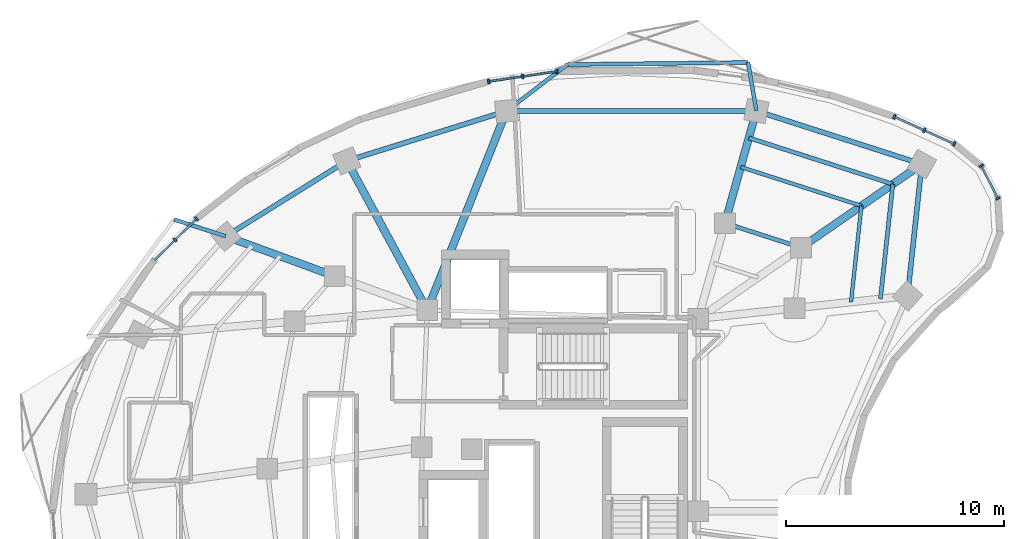
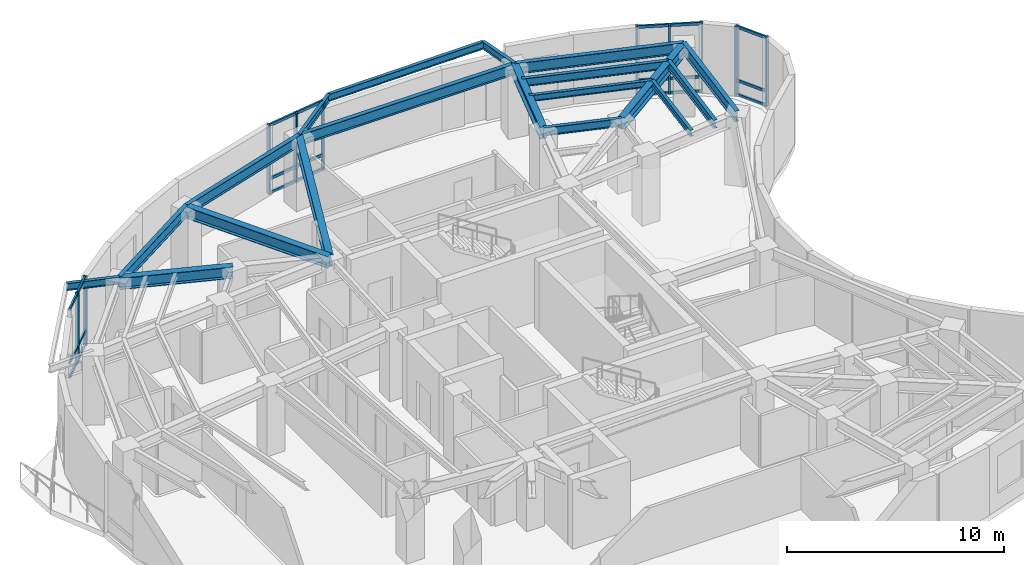
# One storey, part 5 of 12: 31 members, 19 beams, 4 elements without a shape of their own.
"""IFC4 building model written with IfcOpenShell, lengths in metres."""

from ifc_helpers import new_model, si_unit, direction, frame, origin, origin_2d, place, context, subcontext, project, spatial, rectangle, i_section, extrude, material, layer, layer_set, material_profile, profile_set, type_object, element, aggregate, save


model = new_model("IFC4")

# Units and contexts
model_context = context("Model", 3, precision=1e-05, world=origin(), true_north=direction((0.0, 1.0)))
body_context = subcontext(model_context, "Body", "Model", "MODEL_VIEW")
ifc_project = project(units=[si_unit("LENGTHUNIT", "METRE"), si_unit("AREAUNIT", "SQUARE_METRE"), si_unit("VOLUMEUNIT", "CUBIC_METRE"), si_unit("PLANEANGLEUNIT", "RADIAN"), si_unit("MASSUNIT", "GRAM", prefix="KILO")], contexts=[model_context])

# Site, building, storey
site_placement = place(None, origin())
site = spatial("IfcSite", under=ifc_project, at=site_placement, CompositionType="ELEMENT")
building_placement = place(site_placement, origin())
building = spatial("IfcBuilding", under=site, at=building_placement, Name="Korentha Bioscience Tower", CompositionType="ELEMENT")
storey_placement = place(building_placement, frame((0.0, 0.0, 179.39990234375)))
storey = spatial("IfcBuildingStorey", under=building, at=storey_placement, Name="L41", CompositionType="ELEMENT", Elevation=179.39990234375)

# Beam
ifc_material_1 = material(Name="Steel S355", Category="steel")
ifc_material_profile_1 = material_profile(ifc_material_1, i_section(OverallWidth=0.18994140625, OverallDepth=0.45703125, WebThickness=0.009033203125, FlangeThickness=0.014404296875, at=origin_2d()), Name="Steel S355")
ifc_profile_set_1 = profile_set([ifc_material_profile_1], Name="Steel S355 (MB-460)")
beam_type_1 = type_object("IfcBeamType", Name="Mid-Ring Tie Girder W460x74", PredefinedType="BEAM", material=ifc_profile_set_1)
beam_1_placement = place(storey_placement, frame((42.274658203125, 39.1171875, 3.671630859375), z_axis=(-0.952000195343, 0.306097415976, 0.0), x_axis=(-0.306097415976, -0.952000195343, 0.0)))
element("IfcBeam", 1, at=beam_1_placement, inside=storey, type_object=beam_type_1, Name="L41 Mid-Ring Tie Girder 01", PredefinedType="BEAM", context=body_context, shape_type="SweptSolid", body=[
    extrude(i_section(OverallWidth=0.18994140625, OverallDepth=0.45703125, WebThickness=0.009033203125, FlangeThickness=0.014404296875, at=origin_2d()), origin(), (0.0, 0.0, 1.0), 3.672119140625),
])

# Curtain wall, members
ifc_material_2 = material(Name="Thermally Broken Aluminium Frame", Category="aluminium")
ifc_layer = layer(ifc_material_2, 0.219970703125, Name="Thermally Broken Aluminium Frame")
ifc_layer_set = layer_set([ifc_layer], Name="Thermally Broken Aluminium Frame (CW-T1)")
curtain_wall_type = type_object("IfcCurtainWallType", Name="Standard Bioscience Lab Unitised Curtain Wall CW-T1", PredefinedType="USERDEFINED", material=ifc_layer_set)
curtain_wall_1_placement = place(storey_placement, origin())
curtain_wall_1 = element("IfcCurtainWall", 2, at=curtain_wall_1_placement, inside=storey, type_object=curtain_wall_type, Name="L41 Curtain Wall 01", ObjectType="UNITISED", PredefinedType="USERDEFINED")
ifc_material_3 = material(Name="Anodised Aluminium 6063-T6", Category="aluminium")
ifc_material_profile_2 = material_profile(ifc_material_3, rectangle(XDim=0.090087890625, YDim=0.199951171875, at=origin_2d()), Name="Anodised Aluminium 6063-T6")
ifc_profile_set_2 = profile_set([ifc_material_profile_2], Name="Anodised Aluminium 6063-T6 (CW-MUL)")
member_type_1 = type_object("IfcMemberType", Name="Mullion RECT 90x200", PredefinedType="MULLION", material=ifc_profile_set_2)
member_1_placement = place(storey_placement, frame((49.314453125, 43.878173828125, 0.0), z_axis=(0.0, 0.0, 1.0), x_axis=(-0.910644398392, 0.413190972406, 0.0)))
member_1 = element("IfcMember", 3, at=member_1_placement, type_object=member_type_1, Name="CW-L41-01 Mullion 1", PredefinedType="MULLION", context=body_context, shape_type="SweptSolid", body=[
    extrude(rectangle(XDim=0.090087890625, YDim=0.199951171875, at=origin_2d()), origin(), (0.0, 0.0, 1.0), 3.900146484375),
])
member_2_placement = place(storey_placement, frame((47.93701171875, 44.503173828125, 0.0), z_axis=(0.0, 0.0, 1.0), x_axis=(-0.910644398392, 0.413190972406, 0.0)))
member_2 = element("IfcMember", 4, at=member_2_placement, type_object=member_type_1, Name="CW-L41-01 Mullion 2", PredefinedType="MULLION", context=body_context, shape_type="SweptSolid", body=[
    extrude(rectangle(XDim=0.090087890625, YDim=0.199951171875, at=origin_2d()), origin(), (0.0, 0.0, 1.0), 3.900146484375),
])
member_3_placement = place(storey_placement, frame((46.5595703125, 45.128173828125, 0.0), z_axis=(0.0, 0.0, 1.0), x_axis=(-0.910644398392, 0.413190972406, 0.0)))
member_3 = element("IfcMember", 5, at=member_3_placement, type_object=member_type_1, Name="CW-L41-01 Mullion 3", PredefinedType="MULLION", context=body_context, shape_type="SweptSolid", body=[
    extrude(rectangle(XDim=0.090087890625, YDim=0.199951171875, at=origin_2d()), origin(), (0.0, 0.0, 1.0), 3.900146484375),
])

curtain_wall_2_placement = place(storey_placement, origin())
curtain_wall_2 = element("IfcCurtainWall", 6, at=curtain_wall_2_placement, inside=storey, type_object=curtain_wall_type, Name="L41 Curtain Wall 07", ObjectType="UNITISED", PredefinedType="USERDEFINED")
member_4_placement = place(storey_placement, frame((31.056640625, 47.205078125, 0.0), z_axis=(0.0, 0.0, 1.0), x_axis=(-0.989461919888, -0.144793332342, 0.0)))
member_4 = element("IfcMember", 7, at=member_4_placement, type_object=member_type_1, Name="CW-L41-07 Mullion 1", PredefinedType="MULLION", context=body_context, shape_type="SweptSolid", body=[
    extrude(rectangle(XDim=0.090087890625, YDim=0.199951171875, at=origin_2d()), origin(), (0.0, 0.0, 1.0), 3.900146484375),
])
member_5_placement = place(storey_placement, frame((29.485107421875, 46.97509765625, 0.0), z_axis=(0.0, 0.0, 1.0), x_axis=(-0.989461919888, -0.144793332342, 0.0)))
member_5 = element("IfcMember", 8, at=member_5_placement, type_object=member_type_1, Name="CW-L41-07 Mullion 2", PredefinedType="MULLION", context=body_context, shape_type="SweptSolid", body=[
    extrude(rectangle(XDim=0.090087890625, YDim=0.199951171875, at=origin_2d()), origin(), (0.0, 0.0, 1.0), 3.900146484375),
])
member_6_placement = place(storey_placement, frame((27.913330078125, 46.7451171875, 0.0), z_axis=(0.0, 0.0, 1.0), x_axis=(-0.989461919888, -0.144793332342, 0.0)))
member_6 = element("IfcMember", 9, at=member_6_placement, type_object=member_type_1, Name="CW-L41-07 Mullion 3", PredefinedType="MULLION", context=body_context, shape_type="SweptSolid", body=[
    extrude(rectangle(XDim=0.090087890625, YDim=0.199951171875, at=origin_2d()), origin(), (0.0, 0.0, 1.0), 3.900146484375),
])

curtain_wall_3_placement = place(storey_placement, origin())
curtain_wall_3 = element("IfcCurtainWall", 10, at=curtain_wall_3_placement, inside=storey, type_object=curtain_wall_type, Name="L41 Curtain Wall 13", ObjectType="UNITISED", PredefinedType="USERDEFINED")
member_7_placement = place(storey_placement, frame((14.49951171875, 40.44287109375, 0.0), z_axis=(0.0, 0.0, 1.0), x_axis=(-0.711460557971, -0.702726030862, 0.0)))
member_7 = element("IfcMember", 11, at=member_7_placement, type_object=member_type_1, Name="CW-L41-13 Mullion 1", PredefinedType="MULLION", context=body_context, shape_type="SweptSolid", body=[
    extrude(rectangle(XDim=0.090087890625, YDim=0.199951171875, at=origin_2d()), origin(), (0.0, 0.0, 1.0), 3.900146484375),
])
member_8_placement = place(storey_placement, frame((13.517333984375, 39.472900390625, 0.0), z_axis=(0.0, 0.0, 1.0), x_axis=(-0.711460557971, -0.702726030862, 0.0)))
member_8 = element("IfcMember", 12, at=member_8_placement, type_object=member_type_1, Name="CW-L41-13 Mullion 2", PredefinedType="MULLION", context=body_context, shape_type="SweptSolid", body=[
    extrude(rectangle(XDim=0.090087890625, YDim=0.199951171875, at=origin_2d()), origin(), (0.0, 0.0, 1.0), 3.900146484375),
])

curtain_wall_4_placement = place(storey_placement, origin())
curtain_wall_4 = element("IfcCurtainWall", 13, at=curtain_wall_4_placement, inside=storey, type_object=curtain_wall_type, Name="L41 Curtain Wall 61", ObjectType="UNITISED", PredefinedType="USERDEFINED")
member_9_placement = place(storey_placement, frame((51.31884765625, 41.375732421875, 0.0), z_axis=(0.0, 0.0, 1.0), x_axis=(-0.45428845847, 0.890854643868, 0.0)))
member_9 = element("IfcMember", 14, at=member_9_placement, type_object=member_type_1, Name="CW-L41-61 Mullion 1", PredefinedType="MULLION", context=body_context, shape_type="SweptSolid", body=[
    extrude(rectangle(XDim=0.090087890625, YDim=0.199951171875, at=origin_2d()), origin(), (0.0, 0.0, 1.0), 3.900146484375),
])
member_10_placement = place(storey_placement, frame((50.5546875, 42.873779296875, 0.0), z_axis=(0.0, 0.0, 1.0), x_axis=(-0.45428845847, 0.890854643868, 0.0)))
member_10 = element("IfcMember", 15, at=member_10_placement, type_object=member_type_1, Name="CW-L41-61 Mullion 2", PredefinedType="MULLION", context=body_context, shape_type="SweptSolid", body=[
    extrude(rectangle(XDim=0.090087890625, YDim=0.199951171875, at=origin_2d()), origin(), (0.0, 0.0, 1.0), 3.900146484375),
])

# Beams
ifc_material_profile_3 = material_profile(ifc_material_1, i_section(OverallWidth=0.22802734375, OverallDepth=0.60791015625, WebThickness=0.01123046875, FlangeThickness=0.017333984375, at=origin_2d()), Name="Steel S355")
ifc_profile_set_3 = profile_set([ifc_material_profile_3], Name="Steel S355 (SB-610)")
beam_type_2 = type_object("IfcBeamType", Name="Perimeter Ring Spandrel Girder W610x113", PredefinedType="SPANDREL", material=ifc_profile_set_3)
beam_2_placement = place(storey_placement, frame((47.821044921875, 42.95263671875, 3.59619140625), z_axis=(-0.952008512555, 0.306071547228, 0.0), x_axis=(-0.306071547228, -0.952008512555, 0.0)))
element("IfcBeam", 16, at=beam_2_placement, inside=storey, type_object=beam_type_2, Name="L41 Perimeter Spandrel Girder 01", PredefinedType="SPANDREL", context=body_context, shape_type="SweptSolid", body=[
    extrude(i_section(OverallWidth=0.22802734375, OverallDepth=0.60791015625, WebThickness=0.01123046875, FlangeThickness=0.017333984375, at=origin_2d()), origin(), (0.0, 0.0, 1.0), 7.98291015625),
])
beam_3_placement = place(storey_placement, frame((40.22119140625, 45.39599609375, 3.59619140625), z_axis=(-0.99999988041, -0.000489059883, 0.0), x_axis=(0.000489059883, -0.99999988041, 0.0)))
element("IfcBeam", 17, at=beam_3_placement, inside=storey, type_object=beam_type_2, Name="L41 Perimeter Spandrel Girder 02", PredefinedType="SPANDREL", context=body_context, shape_type="SweptSolid", body=[
    extrude(i_section(OverallWidth=0.22802734375, OverallDepth=0.60791015625, WebThickness=0.01123046875, FlangeThickness=0.017333984375, at=origin_2d()), origin(), (0.0, 0.0, 1.0), 11.481689453125),
])
beam_4_placement = place(storey_placement, frame((28.739501953125, 45.390380859375, 3.59619140625), z_axis=(-0.954638172607, -0.29776829818, 0.0), x_axis=(0.29776829818, -0.954638172607, 0.0)))
element("IfcBeam", 18, at=beam_4_placement, inside=storey, type_object=beam_type_2, Name="L41 Perimeter Spandrel Girder 03", PredefinedType="SPANDREL", context=body_context, shape_type="SweptSolid", body=[
    extrude(i_section(OverallWidth=0.22802734375, OverallDepth=0.60791015625, WebThickness=0.01123046875, FlangeThickness=0.017333984375, at=origin_2d()), origin(), (0.0, 0.0, 1.0), 7.682373046875),
])
beam_5_placement = place(storey_placement, frame((21.405517578125, 43.102783203125, 3.59619140625), z_axis=(-0.848675740059, -0.528913497876, 0.0), x_axis=(0.528913497876, -0.848675740059, 0.0)))
element("IfcBeam", 19, at=beam_5_placement, inside=storey, type_object=beam_type_2, Name="L41 Perimeter Spandrel Girder 04", PredefinedType="SPANDREL", context=body_context, shape_type="SweptSolid", body=[
    extrude(i_section(OverallWidth=0.22802734375, OverallDepth=0.60791015625, WebThickness=0.01123046875, FlangeThickness=0.017333984375, at=origin_2d()), origin(), (0.0, 0.0, 1.0), 6.55322265625),
])
beam_6_placement = place(storey_placement, frame((47.16748046875, 36.89794921875, 3.59619140625), z_axis=(0.10732012232, 0.994224517574, 0.0), x_axis=(-0.994224517574, 0.10732012232, 0.0)))
element("IfcBeam", 20, at=beam_6_placement, inside=storey, type_object=beam_type_2, Name="L41 Perimeter Spandrel Girder 16", PredefinedType="SPANDREL", context=body_context, shape_type="SweptSolid", body=[
    extrude(i_section(OverallWidth=0.22802734375, OverallDepth=0.60791015625, WebThickness=0.01123046875, FlangeThickness=0.017333984375, at=origin_2d()), origin(), (0.0, 0.0, 1.0), 6.08984375),
])
ifc_material_profile_4 = material_profile(ifc_material_1, i_section(OverallWidth=0.18994140625, OverallDepth=0.45703125, WebThickness=0.009033203125, FlangeThickness=0.014404296875, at=origin_2d()), Name="Steel S355")
ifc_profile_set_4 = profile_set([ifc_material_profile_4], Name="Steel S355 (RB-460)")
beam_type_3 = type_object("IfcBeamType", Name="Radial Laboratory Beam W460x74", PredefinedType="BEAM", material=ifc_profile_set_4)
beam_7_placement = place(storey_placement, frame((46.489990234375, 42.031982421875, 3.671630859375), z_axis=(-0.952009183817, 0.306069459318, 0.0), x_axis=(-0.306069459318, -0.952009183817, 0.0)))
element("IfcBeam", 21, at=beam_7_placement, inside=storey, type_object=beam_type_3, Name="L41 Secondary Floor Beam JSTO-01", PredefinedType="BEAM", context=body_context, shape_type="SweptSolid", body=[
    extrude(i_section(OverallWidth=0.18994140625, OverallDepth=0.45703125, WebThickness=0.009033203125, FlangeThickness=0.014404296875, at=origin_2d()), origin(), (0.0, 0.0, 1.0), 6.948486328125),
])
beam_8_placement = place(storey_placement, frame((45.921142578125, 36.76220703125, 3.671630859375), z_axis=(0.107321875607, 0.994224328316, 0.0), x_axis=(-0.994224328316, 0.107321875607, 0.0)))
element("IfcBeam", 22, at=beam_8_placement, inside=storey, type_object=beam_type_3, Name="L41 Secondary Floor Beam JSTO-16", PredefinedType="BEAM", context=body_context, shape_type="SweptSolid", body=[
    extrude(i_section(OverallWidth=0.18994140625, OverallDepth=0.45703125, WebThickness=0.009033203125, FlangeThickness=0.014404296875, at=origin_2d()), origin(), (0.0, 0.0, 1.0), 5.30029296875),
])
ifc_material_profile_5 = material_profile(ifc_material_1, i_section(OverallWidth=0.35009765625, OverallDepth=0.64990234375, WebThickness=0.01611328125, FlangeThickness=0.02490234375, at=origin_2d()), Name="Steel S355")
ifc_profile_set_5 = profile_set([ifc_material_profile_5], Name="Steel S355 (RB-650)")
beam_type_4 = type_object("IfcBeamType", Name="Radial Laboratory Girder CVS 650x208", PredefinedType="BEAM", material=ifc_profile_set_5)
beam_9_placement = place(storey_placement, frame((42.274658203125, 39.1171875, 3.5751953125), z_axis=(0.822494455845, 0.568773127094, 0.0), x_axis=(-0.568773127094, 0.822494455845, 0.0)))
element("IfcBeam", 23, at=beam_9_placement, inside=storey, type_object=beam_type_4, Name="L41 Outer Radial Girder 01", PredefinedType="BEAM", context=body_context, shape_type="SweptSolid", body=[
    extrude(i_section(OverallWidth=0.35009765625, OverallDepth=0.64990234375, WebThickness=0.01611328125, FlangeThickness=0.02490234375, at=origin_2d()), origin(), (0.0, 0.0, 1.0), 6.743408203125),
])
beam_10_placement = place(storey_placement, frame((38.77880859375, 40.2412109375, 3.5751953125), z_axis=(0.269464128344, 0.963010427532, 0.0), x_axis=(-0.963010427532, 0.269464128344, 0.0)))
element("IfcBeam", 24, at=beam_10_placement, inside=storey, type_object=beam_type_4, Name="L41 Outer Radial Girder 02", PredefinedType="BEAM", context=body_context, shape_type="SweptSolid", body=[
    extrude(i_section(OverallWidth=0.35009765625, OverallDepth=0.64990234375, WebThickness=0.01611328125, FlangeThickness=0.02490234375, at=origin_2d()), origin(), (0.0, 0.0, 1.0), 5.352783203125),
])
beam_11_placement = place(storey_placement, frame((25.10009765625, 36.25, 3.5751953125), z_axis=(0.369922682955, 0.929062542909, 0.0), x_axis=(-0.929062542909, 0.369922682955, 0.0)))
element("IfcBeam", 25, at=beam_11_placement, inside=storey, type_object=beam_type_4, Name="L41 Radial Girder 03", PredefinedType="BEAM", context=body_context, shape_type="SweptSolid", body=[
    extrude(i_section(OverallWidth=0.35009765625, OverallDepth=0.64990234375, WebThickness=0.01611328125, FlangeThickness=0.02490234375, at=origin_2d()), origin(), (0.0, 0.0, 1.0), 9.83837890625),
])
beam_12_placement = place(storey_placement, frame((25.10009765625, 36.25, 3.5751953125), z_axis=(-0.474559790141, 0.880223270302, 0.0), x_axis=(-0.880223270302, -0.474559790141, 0.0)))
element("IfcBeam", 26, at=beam_12_placement, inside=storey, type_object=beam_type_4, Name="L41 Radial Girder 04", PredefinedType="BEAM", context=body_context, shape_type="SweptSolid", body=[
    extrude(i_section(OverallWidth=0.35009765625, OverallDepth=0.64990234375, WebThickness=0.01611328125, FlangeThickness=0.02490234375, at=origin_2d()), origin(), (0.0, 0.0, 1.0), 7.785400390625),
])
beam_13_placement = place(storey_placement, frame((20.84228515625, 37.807861328125, 3.5751953125), z_axis=(-0.939109855566, 0.343617053097, 0.0), x_axis=(-0.343617053097, -0.939109855566, 0.0)))
element("IfcBeam", 27, at=beam_13_placement, inside=storey, type_object=beam_type_4, Name="L41 Outer Radial Girder 05", PredefinedType="BEAM", context=body_context, shape_type="SweptSolid", body=[
    extrude(i_section(OverallWidth=0.35009765625, OverallDepth=0.64990234375, WebThickness=0.01611328125, FlangeThickness=0.02490234375, at=origin_2d()), origin(), (0.0, 0.0, 1.0), 5.322265625),
])
ifc_material_profile_6 = material_profile(ifc_material_1, i_section(OverallWidth=0.1708984375, OverallDepth=0.35498046875, WebThickness=0.007080078125, FlangeThickness=0.01171875, at=origin_2d()), Name="Steel S355")
ifc_profile_set_6 = profile_set([ifc_material_profile_6], Name="Steel S355 (JB-360)")
beam_type_5 = type_object("IfcBeamType", Name="Secondary Laboratory Joist W360x51", PredefinedType="JOIST", material=ifc_profile_set_6)
beam_14_placement = place(storey_placement, frame((45.0478515625, 41.034912109375, 3.72265625), z_axis=(-0.952005892166, 0.306079697596, 0.0), x_axis=(-0.306079697596, -0.952005892166, 0.0)))
element("IfcBeam", 28, at=beam_14_placement, inside=storey, type_object=beam_type_5, Name="L41 Secondary Floor Beam JST-01", PredefinedType="JOIST", context=body_context, shape_type="SweptSolid", body=[
    extrude(i_section(OverallWidth=0.1708984375, OverallDepth=0.35498046875, WebThickness=0.007080078125, FlangeThickness=0.01171875, at=origin_2d()), origin(), (0.0, 0.0, 1.0), 5.82763671875),
])
beam_15_placement = place(storey_placement, frame((44.57080078125, 36.614990234375, 3.72265625), z_axis=(0.107308722475, 0.994225748048, 0.0), x_axis=(-0.994225748048, 0.107308722475, 0.0)))
element("IfcBeam", 29, at=beam_15_placement, inside=storey, type_object=beam_type_5, Name="L41 Secondary Floor Beam JST-16", PredefinedType="JOIST", context=body_context, shape_type="SweptSolid", body=[
    extrude(i_section(OverallWidth=0.1708984375, OverallDepth=0.35498046875, WebThickness=0.007080078125, FlangeThickness=0.01171875, at=origin_2d()), origin(), (0.0, 0.0, 1.0), 4.445556640625),
])
ifc_material_profile_7 = material_profile(ifc_material_1, i_section(OverallWidth=0.177978515625, OverallDepth=0.406982421875, WebThickness=0.0078125, FlangeThickness=0.0126953125, at=origin_2d()), Name="Steel S355")
ifc_profile_set_7 = profile_set([ifc_material_profile_7], Name="Steel S355 (CB-410)")
beam_type_6 = type_object("IfcBeamType", Name="Sun-Ledge Cantilever Beam W410x60", PredefinedType="BEAM", material=ifc_profile_set_7)
beam_16_placement = place(storey_placement, frame((40.22119140625, 45.39599609375, 3.698486328125), z_axis=(-0.169095852477, 0.985599610732, 0.0), x_axis=(-0.985599610732, -0.169095852477, 0.0)))
element("IfcBeam", 30, at=beam_16_placement, inside=storey, type_object=beam_type_6, Name="L41 Balcony Cantilever Bracket A-L42-01", PredefinedType="BEAM", context=body_context, shape_type="SweptSolid", body=[
    extrude(i_section(OverallWidth=0.177978515625, OverallDepth=0.406982421875, WebThickness=0.0078125, FlangeThickness=0.0126953125, at=origin_2d()), origin(), (0.0, 0.0, 1.0), 2.258056640625),
])
beam_17_placement = place(storey_placement, frame((28.739501953125, 45.390380859375, 3.698486328125), z_axis=(0.794810389594, 0.606857845458, 0.0), x_axis=(-0.606857845458, 0.794810389594, 0.0)))
element("IfcBeam", 31, at=beam_17_placement, inside=storey, type_object=beam_type_6, Name="L41 Balcony Cantilever Bracket B-L42-01", PredefinedType="BEAM", context=body_context, shape_type="SweptSolid", body=[
    extrude(i_section(OverallWidth=0.177978515625, OverallDepth=0.406982421875, WebThickness=0.0078125, FlangeThickness=0.0126953125, at=origin_2d()), origin(), (0.0, 0.0, 1.0), 3.520263671875),
])
beam_18_placement = place(storey_placement, frame((39.83935546875, 47.62158203125, 3.698486328125), z_axis=(-0.999934575407, -0.011438745768, 0.0), x_axis=(0.011438745768, -0.999934575407, 0.0)))
element("IfcBeam", 32, at=beam_18_placement, inside=storey, type_object=beam_type_6, Name="L41 Balcony Edge Trimmer Beam L42-01", PredefinedType="BEAM", context=body_context, shape_type="SweptSolid", body=[
    extrude(i_section(OverallWidth=0.177978515625, OverallDepth=0.406982421875, WebThickness=0.0078125, FlangeThickness=0.0126953125, at=origin_2d()), origin(), (0.0, 0.0, 1.0), 8.302490234375),
])
beam_19_placement = place(storey_placement, frame((15.843994140625, 39.63671875, 3.698486328125), z_axis=(-0.951344006002, 0.308130787563, 0.0), x_axis=(-0.308130787563, -0.951344006002, 0.0)))
element("IfcBeam", 33, at=beam_19_placement, inside=storey, type_object=beam_type_6, Name="L41 Balcony Cantilever Bracket A-L42-02", PredefinedType="BEAM", context=body_context, shape_type="SweptSolid", body=[
    extrude(i_section(OverallWidth=0.177978515625, OverallDepth=0.406982421875, WebThickness=0.0078125, FlangeThickness=0.0126953125, at=origin_2d()), origin(), (0.0, 0.0, 1.0), 2.490966796875),
])

# Member
ifc_material_profile_8 = material_profile(ifc_material_3, rectangle(XDim=0.090087890625, YDim=0.159912109375, at=origin_2d()), Name="Anodised Aluminium 6063-T6")
ifc_profile_set_8 = profile_set([ifc_material_profile_8], Name="Anodised Aluminium 6063-T6 (CW-TRN)")
member_type_2 = type_object("IfcMemberType", Name="Transom RECT 90x160", PredefinedType="USERDEFINED", material=ifc_profile_set_8)
member_11_placement = place(storey_placement, frame((49.2734375, 43.896728515625, 0.045166015625), z_axis=(-0.910613165474, 0.41325980069, 0.0), x_axis=(-0.41325980069, -0.910613165474, 0.0)))
member_11 = element("IfcMember", 34, at=member_11_placement, type_object=member_type_2, Name="CW-L41-01 Bay 1 Transom 1", ObjectType="TRANSOM", PredefinedType="USERDEFINED", context=body_context, shape_type="SweptSolid", body=[
    extrude(rectangle(XDim=0.090087890625, YDim=0.159912109375, at=origin_2d()), origin(), (0.0, 0.0, 1.0), 1.422607421875),
])

member_12_placement = place(storey_placement, frame((49.2734375, 43.896728515625, 0.85009765625), z_axis=(-0.910613165474, 0.41325980069, 0.0), x_axis=(-0.41325980069, -0.910613165474, 0.0)))
member_12 = element("IfcMember", 35, at=member_12_placement, type_object=member_type_2, Name="CW-L41-01 Bay 1 Transom 2", ObjectType="TRANSOM", PredefinedType="USERDEFINED", context=body_context, shape_type="SweptSolid", body=[
    extrude(rectangle(XDim=0.090087890625, YDim=0.159912109375, at=origin_2d()), origin(), (0.0, 0.0, 1.0), 1.422607421875),
])

member_13_placement = place(storey_placement, frame((49.2734375, 43.896728515625, 3.85498046875), z_axis=(-0.910613165474, 0.41325980069, 0.0), x_axis=(-0.41325980069, -0.910613165474, 0.0)))
member_13 = element("IfcMember", 36, at=member_13_placement, type_object=member_type_2, Name="CW-L41-01 Bay 1 Transom 3", ObjectType="TRANSOM", PredefinedType="USERDEFINED", context=body_context, shape_type="SweptSolid", body=[
    extrude(rectangle(XDim=0.090087890625, YDim=0.159912109375, at=origin_2d()), origin(), (0.0, 0.0, 1.0), 1.422607421875),
])

member_14_placement = place(storey_placement, frame((47.89599609375, 44.521728515625, 0.045166015625), z_axis=(-0.910613165474, 0.41325980069, 0.0), x_axis=(-0.41325980069, -0.910613165474, 0.0)))
member_14 = element("IfcMember", 37, at=member_14_placement, type_object=member_type_2, Name="CW-L41-01 Bay 2 Transom 1", ObjectType="TRANSOM", PredefinedType="USERDEFINED", context=body_context, shape_type="SweptSolid", body=[
    extrude(rectangle(XDim=0.090087890625, YDim=0.159912109375, at=origin_2d()), origin(), (0.0, 0.0, 1.0), 1.422607421875),
])

member_15_placement = place(storey_placement, frame((47.89599609375, 44.521728515625, 0.85009765625), z_axis=(-0.910613165474, 0.41325980069, 0.0), x_axis=(-0.41325980069, -0.910613165474, 0.0)))
member_15 = element("IfcMember", 38, at=member_15_placement, type_object=member_type_2, Name="CW-L41-01 Bay 2 Transom 2", ObjectType="TRANSOM", PredefinedType="USERDEFINED", context=body_context, shape_type="SweptSolid", body=[
    extrude(rectangle(XDim=0.090087890625, YDim=0.159912109375, at=origin_2d()), origin(), (0.0, 0.0, 1.0), 1.422607421875),
])

member_16_placement = place(storey_placement, frame((47.89599609375, 44.521728515625, 3.85498046875), z_axis=(-0.910613165474, 0.41325980069, 0.0), x_axis=(-0.41325980069, -0.910613165474, 0.0)))
member_16 = element("IfcMember", 39, at=member_16_placement, type_object=member_type_2, Name="CW-L41-01 Bay 2 Transom 3", ObjectType="TRANSOM", PredefinedType="USERDEFINED", context=body_context, shape_type="SweptSolid", body=[
    extrude(rectangle(XDim=0.090087890625, YDim=0.159912109375, at=origin_2d()), origin(), (0.0, 0.0, 1.0), 1.422607421875),
])

aggregate(curtain_wall_1, [member_1, member_2, member_3, member_11, member_12, member_13, member_14, member_15, member_16])

member_17_placement = place(storey_placement, frame((31.01220703125, 47.198486328125, 0.045166015625), z_axis=(-0.989478137929, -0.144682461136, 0.0), x_axis=(0.144682461136, -0.989478137929, 0.0)))
member_17 = element("IfcMember", 40, at=member_17_placement, type_object=member_type_2, Name="CW-L41-07 Bay 1 Transom 1", ObjectType="TRANSOM", PredefinedType="USERDEFINED", context=body_context, shape_type="SweptSolid", body=[
    extrude(rectangle(XDim=0.090087890625, YDim=0.159912109375, at=origin_2d()), origin(), (0.0, 0.0, 1.0), 1.49853515625),
])

member_18_placement = place(storey_placement, frame((31.01220703125, 47.198486328125, 0.85009765625), z_axis=(-0.989478137929, -0.144682461136, 0.0), x_axis=(0.144682461136, -0.989478137929, 0.0)))
member_18 = element("IfcMember", 41, at=member_18_placement, type_object=member_type_2, Name="CW-L41-07 Bay 1 Transom 2", ObjectType="TRANSOM", PredefinedType="USERDEFINED", context=body_context, shape_type="SweptSolid", body=[
    extrude(rectangle(XDim=0.090087890625, YDim=0.159912109375, at=origin_2d()), origin(), (0.0, 0.0, 1.0), 1.49853515625),
])

member_19_placement = place(storey_placement, frame((31.01220703125, 47.198486328125, 3.85498046875), z_axis=(-0.989478137929, -0.144682461136, 0.0), x_axis=(0.144682461136, -0.989478137929, 0.0)))
member_19 = element("IfcMember", 42, at=member_19_placement, type_object=member_type_2, Name="CW-L41-07 Bay 1 Transom 3", ObjectType="TRANSOM", PredefinedType="USERDEFINED", context=body_context, shape_type="SweptSolid", body=[
    extrude(rectangle(XDim=0.090087890625, YDim=0.159912109375, at=origin_2d()), origin(), (0.0, 0.0, 1.0), 1.49853515625),
])

member_20_placement = place(storey_placement, frame((29.4404296875, 46.968505859375, 0.045166015625), z_axis=(-0.989474726473, -0.144705790038, 0.0), x_axis=(0.144705790038, -0.989474726473, 0.0)))
member_20 = element("IfcMember", 43, at=member_20_placement, type_object=member_type_2, Name="CW-L41-07 Bay 2 Transom 1", ObjectType="TRANSOM", PredefinedType="USERDEFINED", context=body_context, shape_type="SweptSolid", body=[
    extrude(rectangle(XDim=0.090087890625, YDim=0.159912109375, at=origin_2d()), origin(), (0.0, 0.0, 1.0), 1.498291015625),
])

member_21_placement = place(storey_placement, frame((29.4404296875, 46.968505859375, 0.85009765625), z_axis=(-0.989474726473, -0.144705790038, 0.0), x_axis=(0.144705790038, -0.989474726473, 0.0)))
member_21 = element("IfcMember", 44, at=member_21_placement, type_object=member_type_2, Name="CW-L41-07 Bay 2 Transom 2", ObjectType="TRANSOM", PredefinedType="USERDEFINED", context=body_context, shape_type="SweptSolid", body=[
    extrude(rectangle(XDim=0.090087890625, YDim=0.159912109375, at=origin_2d()), origin(), (0.0, 0.0, 1.0), 1.498291015625),
])

member_22_placement = place(storey_placement, frame((29.4404296875, 46.968505859375, 3.85498046875), z_axis=(-0.989474726473, -0.144705790038, 0.0), x_axis=(0.144705790038, -0.989474726473, 0.0)))
member_22 = element("IfcMember", 45, at=member_22_placement, type_object=member_type_2, Name="CW-L41-07 Bay 2 Transom 3", ObjectType="TRANSOM", PredefinedType="USERDEFINED", context=body_context, shape_type="SweptSolid", body=[
    extrude(rectangle(XDim=0.090087890625, YDim=0.159912109375, at=origin_2d()), origin(), (0.0, 0.0, 1.0), 1.498291015625),
])

aggregate(curtain_wall_2, [member_4, member_5, member_6, member_17, member_18, member_19, member_20, member_21, member_22])

member_23_placement = place(storey_placement, frame((14.46728515625, 40.4111328125, 0.045166015625), z_axis=(-0.711445315109, -0.70274146285, 0.0), x_axis=(0.70274146285, -0.711445315109, 0.0)))
member_23 = element("IfcMember", 46, at=member_23_placement, type_object=member_type_2, Name="CW-L41-13 Bay 1 Transom 1", ObjectType="TRANSOM", PredefinedType="USERDEFINED", context=body_context, shape_type="SweptSolid", body=[
    extrude(rectangle(XDim=0.090087890625, YDim=0.159912109375, at=origin_2d()), origin(), (0.0, 0.0, 1.0), 1.290283203125),
])

member_24_placement = place(storey_placement, frame((14.46728515625, 40.4111328125, 0.85009765625), z_axis=(-0.711445315109, -0.70274146285, 0.0), x_axis=(0.70274146285, -0.711445315109, 0.0)))
member_24 = element("IfcMember", 47, at=member_24_placement, type_object=member_type_2, Name="CW-L41-13 Bay 1 Transom 2", ObjectType="TRANSOM", PredefinedType="USERDEFINED", context=body_context, shape_type="SweptSolid", body=[
    extrude(rectangle(XDim=0.090087890625, YDim=0.159912109375, at=origin_2d()), origin(), (0.0, 0.0, 1.0), 1.290283203125),
])

member_25_placement = place(storey_placement, frame((14.46728515625, 40.4111328125, 3.85498046875), z_axis=(-0.711445315109, -0.70274146285, 0.0), x_axis=(0.70274146285, -0.711445315109, 0.0)))
member_25 = element("IfcMember", 48, at=member_25_placement, type_object=member_type_2, Name="CW-L41-13 Bay 1 Transom 3", ObjectType="TRANSOM", PredefinedType="USERDEFINED", context=body_context, shape_type="SweptSolid", body=[
    extrude(rectangle(XDim=0.090087890625, YDim=0.159912109375, at=origin_2d()), origin(), (0.0, 0.0, 1.0), 1.290283203125),
])

member_26_placement = place(storey_placement, frame((13.4853515625, 39.441162109375, 0.045166015625), z_axis=(-0.711444158079, -0.70274263421, 0.0), x_axis=(0.70274263421, -0.711444158079, 0.0)))
member_26 = element("IfcMember", 49, at=member_26_placement, type_object=member_type_2, Name="CW-L41-13 Bay 2 Transom 1", ObjectType="TRANSOM", PredefinedType="USERDEFINED", context=body_context, shape_type="SweptSolid", body=[
    extrude(rectangle(XDim=0.090087890625, YDim=0.159912109375, at=origin_2d()), origin(), (0.0, 0.0, 1.0), 1.29052734375),
])

member_27_placement = place(storey_placement, frame((13.4853515625, 39.441162109375, 0.85009765625), z_axis=(-0.711444158079, -0.70274263421, 0.0), x_axis=(0.70274263421, -0.711444158079, 0.0)))
member_27 = element("IfcMember", 50, at=member_27_placement, type_object=member_type_2, Name="CW-L41-13 Bay 2 Transom 2", ObjectType="TRANSOM", PredefinedType="USERDEFINED", context=body_context, shape_type="SweptSolid", body=[
    extrude(rectangle(XDim=0.090087890625, YDim=0.159912109375, at=origin_2d()), origin(), (0.0, 0.0, 1.0), 1.29052734375),
])

member_28_placement = place(storey_placement, frame((13.4853515625, 39.441162109375, 3.85498046875), z_axis=(-0.711444158079, -0.70274263421, 0.0), x_axis=(0.70274263421, -0.711444158079, 0.0)))
member_28 = element("IfcMember", 51, at=member_28_placement, type_object=member_type_2, Name="CW-L41-13 Bay 2 Transom 3", ObjectType="TRANSOM", PredefinedType="USERDEFINED", context=body_context, shape_type="SweptSolid", body=[
    extrude(rectangle(XDim=0.090087890625, YDim=0.159912109375, at=origin_2d()), origin(), (0.0, 0.0, 1.0), 1.29052734375),
])

aggregate(curtain_wall_3, [member_7, member_8, member_23, member_24, member_25, member_26, member_27, member_28])

member_29_placement = place(storey_placement, frame((51.29833984375, 41.415771484375, 0.045166015625), z_axis=(-0.454316345026, 0.890840422658, 0.0), x_axis=(-0.890840422658, -0.454316345026, 0.0)))
member_29 = element("IfcMember", 52, at=member_29_placement, type_object=member_type_2, Name="CW-L41-61 Bay 1 Transom 1", ObjectType="TRANSOM", PredefinedType="USERDEFINED", context=body_context, shape_type="SweptSolid", body=[
    extrude(rectangle(XDim=0.090087890625, YDim=0.159912109375, at=origin_2d()), origin(), (0.0, 0.0, 1.0), 1.591796875),
])

member_30_placement = place(storey_placement, frame((51.29833984375, 41.415771484375, 0.85009765625), z_axis=(-0.454316345026, 0.890840422658, 0.0), x_axis=(-0.890840422658, -0.454316345026, 0.0)))
member_30 = element("IfcMember", 53, at=member_30_placement, type_object=member_type_2, Name="CW-L41-61 Bay 1 Transom 2", ObjectType="TRANSOM", PredefinedType="USERDEFINED", context=body_context, shape_type="SweptSolid", body=[
    extrude(rectangle(XDim=0.090087890625, YDim=0.159912109375, at=origin_2d()), origin(), (0.0, 0.0, 1.0), 1.591796875),
])

member_31_placement = place(storey_placement, frame((51.29833984375, 41.415771484375, 3.85498046875), z_axis=(-0.454316345026, 0.890840422658, 0.0), x_axis=(-0.890840422658, -0.454316345026, 0.0)))
member_31 = element("IfcMember", 54, at=member_31_placement, type_object=member_type_2, Name="CW-L41-61 Bay 1 Transom 3", ObjectType="TRANSOM", PredefinedType="USERDEFINED", context=body_context, shape_type="SweptSolid", body=[
    extrude(rectangle(XDim=0.090087890625, YDim=0.159912109375, at=origin_2d()), origin(), (0.0, 0.0, 1.0), 1.591796875),
])

aggregate(curtain_wall_4, [member_9, member_10, member_29, member_30, member_31])

save(model, "model.ifc")
